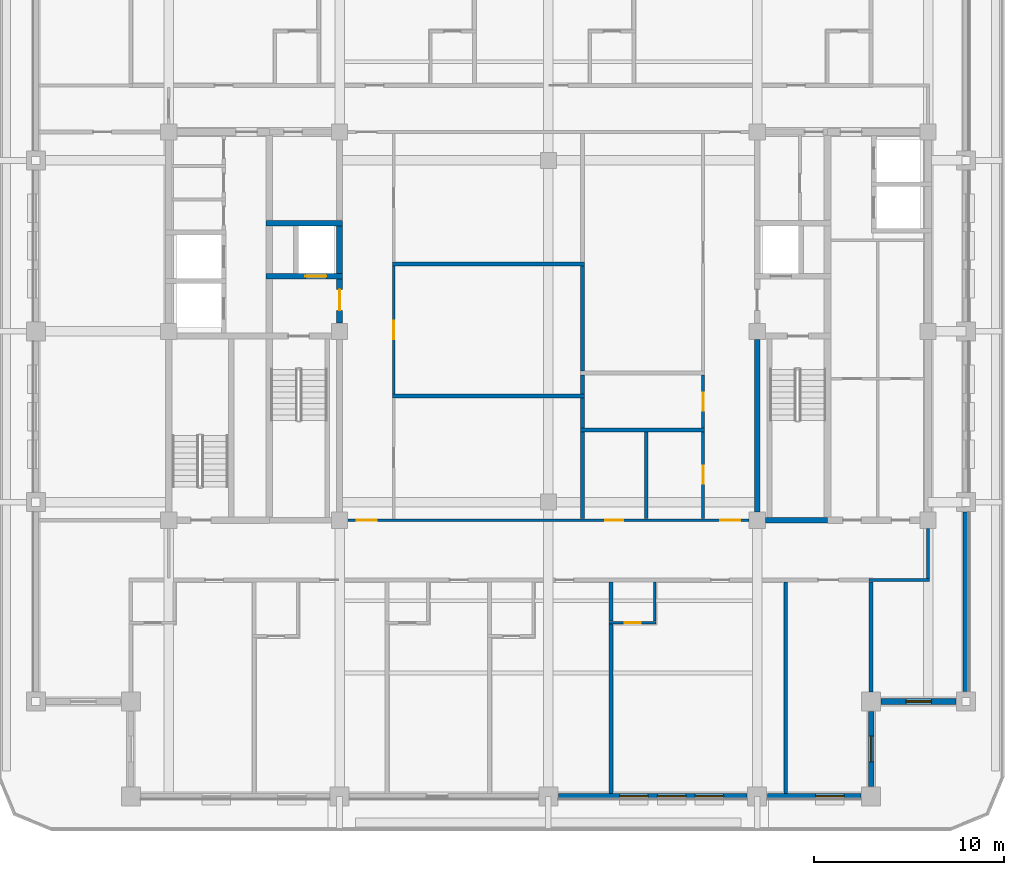
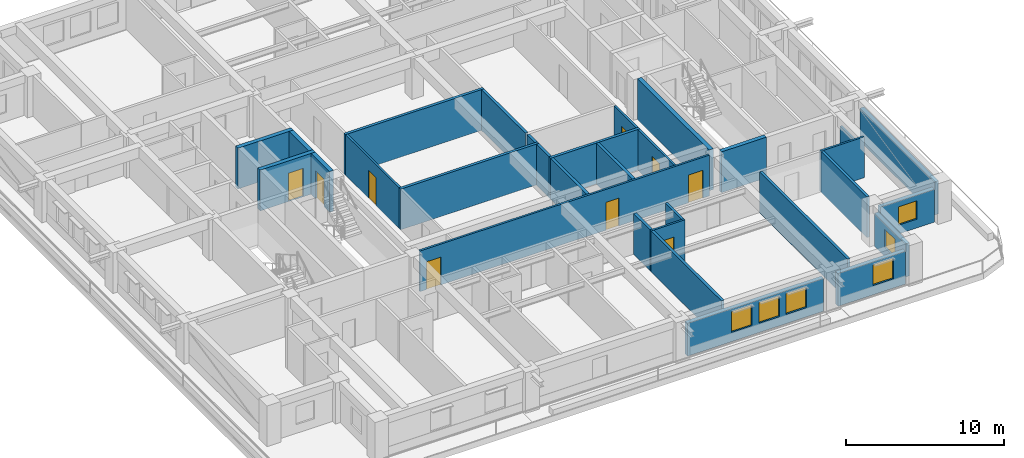
# One storey, part 4 of 15: 31 walls, 9 doors, 6 windows, 15 openings.
"""IFC4 building model written with IfcOpenShell, lengths in metres."""

from ifc_helpers import new_model, si_unit, direction, frame, frame_2d, origin, place, context, subcontext, project, spatial, rectangle, extrude, material, layer, layer_set, type_object, element, fill, save


model = new_model("IFC4")

# Units and contexts
model_context = context("Model", 3, precision=1e-05, world=origin(), true_north=direction((0.0, 1.0)))
body_context = subcontext(model_context, "Body", "Model", "MODEL_VIEW")
ifc_project = project(units=[si_unit("LENGTHUNIT", "METRE"), si_unit("AREAUNIT", "SQUARE_METRE"), si_unit("VOLUMEUNIT", "CUBIC_METRE"), si_unit("PLANEANGLEUNIT", "RADIAN"), si_unit("MASSUNIT", "GRAM", prefix="KILO")], contexts=[model_context])

# Site, building, storey
site_placement = place(None, origin())
site = spatial("IfcSite", under=ifc_project, at=site_placement, CompositionType="ELEMENT")
building_placement = place(site_placement, origin())
building = spatial("IfcBuilding", under=site, at=building_placement, Name="Zulmaris Gate Convention Tower", CompositionType="ELEMENT")
storey_placement = place(building_placement, frame((0.0, 0.0, 201.659912109375)))
storey = spatial("IfcBuildingStorey", under=building, at=storey_placement, Name="L52", CompositionType="ELEMENT", Elevation=201.659912109375)

# Wall
ifc_material_1 = material(Name="Concrete C50/60", Category="concrete")
ifc_layer_1 = layer(ifc_material_1, 0.300048828125, Name="Concrete C50/60")
ifc_layer_set_1 = layer_set([ifc_layer_1], Name="Concrete C50/60")
wall_type_1 = type_object("IfcWallType", Name="CORE-300", PredefinedType="SHEAR", material=ifc_layer_set_1)
wall_1_placement = place(storey_placement, frame((11.428955078125, -9.949951171875, 0.0), z_axis=(0.0, 0.0, 1.0), x_axis=(1.0, 0.0, 0.0)))
element("IfcWall", 1, at=wall_1_placement, inside=storey, type_object=wall_type_1, Name="WL-L52-003", PredefinedType="SHEAR", context=body_context, shape_type="SweptSolid", body=[
    extrude(rectangle(XDim=3.27099609375, YDim=0.300048828125, at=frame_2d((1.635498046875, 0.0))), origin(), (0.0, 0.0, 1.0), 3.150146484375),
])

# Wall, opening, door
wall_2_placement = place(storey_placement, frame((-14.875, 2.89990234375, 0.0), z_axis=(0.0, 0.0, 1.0), x_axis=(1.0, 0.0, 0.0)))
wall_2 = element("IfcWall", 2, at=wall_2_placement, inside=storey, type_object=wall_type_1, Name="WL-L52-008", PredefinedType="SHEAR", context=body_context, shape_type="SweptSolid", body=[
    extrude(rectangle(XDim=4.02490234375, YDim=0.300048828125, at=frame_2d((2.012451171875, 0.0))), origin(), (0.0, 0.0, 1.0), 3.150146484375),
])
opening_1_placement = place(wall_2_placement, frame((2.074951171875, 0.0, 0.0)))
opening_1 = element("IfcOpeningElement", 3, at=opening_1_placement, cuts=wall_2, Name="Opening D-06", PredefinedType="OPENING", context=body_context, shape_type="SweptSolid", body=[
    extrude(rectangle(XDim=1.10009765625, YDim=2.199951171875, at=frame_2d((0.550048828125, 1.10009765625))), frame((0.0, 0.16015625, 0.0), z_axis=(0.0, -1.0, 0.0), x_axis=(1.0, 0.0, 0.0)), (0.0, 0.0, 1.0), 0.320068359375),
])
ifc_material_2 = material(Name="Brushed Stainless Steel", Category="steel")
door_type_1 = type_object("IfcDoorType", Name="LD-1100", OperationType="NOTDEFINED", PredefinedType="DOOR", material=ifc_material_2)
door_1_placement = place(opening_1_placement, origin())
door_1 = element("IfcDoor", 4, at=door_1_placement, inside=storey, type_object=door_type_1, Name="L52 Lift Landing Door LF-01 03", OperationType="SLIDING_TO_LEFT", OverallHeight=2.199951171875, OverallWidth=1.10009765625, PredefinedType="DOOR", context=body_context, shape_type="SweptSolid", body=[
    extrude(rectangle(XDim=1.10009765625, YDim=2.199951171875, at=frame_2d((0.550048828125, 1.10009765625))), frame((0.0, 0.02490234375, 0.0), z_axis=(0.0, -1.0, 0.0), x_axis=(1.0, 0.0, 0.0)), (0.0, 0.0, 1.0), 0.050048828125),
])
fill(opening_1, door_1)

# Wall
wall_3_placement = place(storey_placement, frame((-14.875, 5.699951171875, 0.0), z_axis=(0.0, 0.0, 1.0), x_axis=(1.0, 0.0, 0.0)))
element("IfcWall", 5, at=wall_3_placement, inside=storey, type_object=wall_type_1, Name="WL-L52-012", PredefinedType="SHEAR", context=body_context, shape_type="SweptSolid", body=[
    extrude(rectangle(XDim=4.02490234375, YDim=0.300048828125, at=frame_2d((2.012451171875, 0.0))), origin(), (0.0, 0.0, 1.0), 3.150146484375),
])

# Wall, opening, door
wall_4_placement = place(storey_placement, frame((-11.0, 0.428955078125, 0.0), z_axis=(0.0, 0.0, 1.0), x_axis=(0.0, 1.0, 0.0)))
wall_4 = element("IfcWall", 6, at=wall_4_placement, inside=storey, type_object=wall_type_1, Name="WL-L52-059", PredefinedType="SHEAR", context=body_context, shape_type="SweptSolid", body=[
    extrude(rectangle(XDim=2.319091796875, YDim=0.300048828125, at=frame_2d((1.15966796875, 0.0))), origin(), (0.0, 0.0, 1.0), 3.150146484375),
])
opening_2_placement = place(wall_4_placement, frame((0.6708984375, 0.0, 0.0)))
opening_2 = element("IfcOpeningElement", 7, at=opening_2_placement, cuts=wall_4, Name="Opening D-08", PredefinedType="OPENING", context=body_context, shape_type="SweptSolid", body=[
    extrude(rectangle(XDim=1.10009765625, YDim=2.14990234375, at=frame_2d((0.550048828125, 1.074951171875))), frame((0.0, 0.16015625, 0.0), z_axis=(0.0, -1.0, 0.0), x_axis=(1.0, 0.0, 0.0)), (0.0, 0.0, 1.0), 0.320068359375),
])
ifc_material_3 = material(Name="Fire-Rated Steel", Category="steel")
door_type_2 = type_object("IfcDoorType", Name="DR-1100-FD", OperationType="NOTDEFINED", PredefinedType="DOOR", material=ifc_material_3)
door_2_placement = place(opening_2_placement, origin())
door_2 = element("IfcDoor", 8, at=door_2_placement, inside=storey, type_object=door_type_2, Name="L52 West Firefighting Lobby Door 02", OperationType="SINGLE_SWING_RIGHT", OverallHeight=2.14990234375, OverallWidth=1.10009765625, PredefinedType="DOOR", context=body_context, shape_type="SweptSolid", body=[
    extrude(rectangle(XDim=1.10009765625, YDim=2.14990234375, at=frame_2d((0.550048828125, 1.074951171875))), frame((0.0, 0.02490234375, 0.0), z_axis=(0.0, -1.0, 0.0), x_axis=(1.0, 0.0, 0.0)), (0.0, 0.0, 1.0), 0.050048828125),
])
fill(opening_2, door_2)

# Walls
wall_5_placement = place(storey_placement, frame((-11.0, 3.052001953125, 0.0), z_axis=(0.0, 0.0, 1.0), x_axis=(0.0, 1.0, 0.0)))
element("IfcWall", 9, at=wall_5_placement, inside=storey, type_object=wall_type_1, Name="WL-L52-060", PredefinedType="SHEAR", context=body_context, shape_type="SweptSolid", body=[
    extrude(rectangle(XDim=2.49609375, YDim=0.300048828125, at=frame_2d((1.248046875, 0.0))), origin(), (0.0, 0.0, 1.0), 3.150146484375),
])
wall_6_placement = place(storey_placement, frame((11.0, -9.52099609375, 0.0), z_axis=(0.0, 0.0, 1.0), x_axis=(0.0, 1.0, 0.0)))
element("IfcWall", 10, at=wall_6_placement, inside=storey, type_object=wall_type_1, Name="WL-L52-062", PredefinedType="SHEAR", context=body_context, shape_type="SweptSolid", body=[
    extrude(rectangle(XDim=9.092041015625, YDim=0.300048828125, at=frame_2d((4.5458984375, 0.0))), origin(), (0.0, 0.0, 1.0), 3.150146484375),
])

# Wall, opening, door
ifc_material_4 = material(Name="Gypsum Metal Stud Partition")
ifc_layer_2 = layer(ifc_material_4, 0.14990234375, Name="Gypsum Metal Stud Partition")
ifc_layer_set_2 = layer_set([ifc_layer_2], Name="Gypsum Metal Stud Partition")
wall_type_2 = type_object("IfcWallType", Name="PART-150", PredefinedType="PARTITIONING", material=ifc_layer_set_2)
wall_7_placement = place(storey_placement, frame((3.199951171875, -15.35009765625, 0.0), z_axis=(0.0, 0.0, 1.0), x_axis=(1.0, 0.0, 0.0)))
wall_7 = element("IfcWall", 11, at=wall_7_placement, inside=storey, type_object=wall_type_2, Name="WL-L52-023", PredefinedType="PARTITIONING", context=body_context, shape_type="SweptSolid", body=[
    extrude(rectangle(XDim=2.47509765625, YDim=0.14990234375, at=frame_2d((1.237548828125, 0.0))), origin(), (0.0, 0.0, 1.0), 3.150146484375),
])
opening_3_placement = place(wall_7_placement, frame((0.824951171875, 0.0, 0.0)))
opening_3 = element("IfcOpeningElement", 12, at=opening_3_placement, cuts=wall_7, Name="Opening D-17", PredefinedType="OPENING", context=body_context, shape_type="SweptSolid", body=[
    extrude(rectangle(XDim=0.85009765625, YDim=2.10009765625, at=frame_2d((0.425048828125, 1.050048828125))), frame((0.0, 0.0849609375, 0.0), z_axis=(0.0, -1.0, 0.0), x_axis=(1.0, 0.0, 0.0)), (0.0, 0.0, 1.0), 0.169921875),
])
ifc_material_5 = material(Name="Moisture-Resistant Hardwood Timber", Category="wood")
door_type_3 = type_object("IfcDoorType", Name="DR-850", OperationType="NOTDEFINED", PredefinedType="DOOR", material=ifc_material_5)
door_3_placement = place(opening_3_placement, origin())
door_3 = element("IfcDoor", 13, at=door_3_placement, inside=storey, type_object=door_type_3, Name="L52 En-Suite Door 45", OperationType="SINGLE_SWING_LEFT", OverallHeight=2.10009765625, OverallWidth=0.85009765625, PredefinedType="DOOR", context=body_context, shape_type="SweptSolid", body=[
    extrude(rectangle(XDim=0.85009765625, YDim=2.10009765625, at=frame_2d((0.425048828125, 1.050048828125))), frame((0.0, 0.02490234375, 0.0), z_axis=(0.0, -1.0, 0.0), x_axis=(1.0, 0.0, 0.0)), (0.0, 0.0, 1.0), 0.050048828125),
])
fill(opening_3, door_3)

# Wall
wall_8_placement = place(storey_placement, frame((16.89990234375, -13.10009765625, 0.0), z_axis=(0.0, 0.0, 1.0), x_axis=(1.0, 0.0, 0.0)))
element("IfcWall", 14, at=wall_8_placement, inside=storey, type_object=wall_type_2, Name="WL-L52-025", PredefinedType="PARTITIONING", context=body_context, shape_type="SweptSolid", body=[
    extrude(rectangle(XDim=3.175048828125, YDim=0.14990234375, at=frame_2d((1.58740234375, 0.0))), origin(), (0.0, 0.0, 1.0), 3.150146484375),
])

# Wall, openings, doors
wall_9_placement = place(storey_placement, frame((-10.569091796875, -9.949951171875, 0.0), z_axis=(0.0, 0.0, 1.0), x_axis=(1.0, 0.0, 0.0)))
wall_9 = element("IfcWall", 15, at=wall_9_placement, inside=storey, type_object=wall_type_2, Name="WL-L52-027", PredefinedType="PARTITIONING", context=body_context, shape_type="SweptSolid", body=[
    extrude(rectangle(XDim=21.13818359375, YDim=0.14990234375, at=frame_2d((10.569091796875, 0.0))), origin(), (0.0, 0.0, 1.0), 3.150146484375),
])
opening_4_placement = place(wall_9_placement, frame((0.47412109375, 0.0, 0.0)))
opening_4 = element("IfcOpeningElement", 16, at=opening_4_placement, cuts=wall_9, Name="Opening D-09", PredefinedType="OPENING", context=body_context, shape_type="SweptSolid", body=[
    extrude(rectangle(XDim=1.050048828125, YDim=2.14990234375, at=frame_2d((0.52490234375, 1.074951171875))), frame((0.0, 0.0849609375, 0.0), z_axis=(0.0, -1.0, 0.0), x_axis=(1.0, 0.0, 0.0)), (0.0, 0.0, 1.0), 0.169921875),
])
opening_5_placement = place(wall_9_placement, frame((19.614013671875, 0.0, 0.0)))
opening_5 = element("IfcOpeningElement", 17, at=opening_5_placement, cuts=wall_9, Name="Opening D-09", PredefinedType="OPENING", context=body_context, shape_type="SweptSolid", body=[
    extrude(rectangle(XDim=1.050048828125, YDim=2.14990234375, at=frame_2d((0.52490234375, 1.074951171875))), frame((0.0, 0.0849609375, 0.0), z_axis=(0.0, -1.0, 0.0), x_axis=(1.0, 0.0, 0.0)), (0.0, 0.0, 1.0), 0.169921875),
])
opening_6_placement = place(wall_9_placement, frame((13.573974609375, 0.0, 0.0)))
opening_6 = element("IfcOpeningElement", 18, at=opening_6_placement, cuts=wall_9, Name="Opening D-11", PredefinedType="OPENING", context=body_context, shape_type="SweptSolid", body=[
    extrude(rectangle(XDim=0.949951171875, YDim=2.14990234375, at=frame_2d((0.47509765625, 1.074951171875))), frame((0.0, 0.0849609375, 0.0), z_axis=(0.0, -1.0, 0.0), x_axis=(1.0, 0.0, 0.0)), (0.0, 0.0, 1.0), 0.169921875),
])
door_type_4 = type_object("IfcDoorType", Name="DR-1050-FD", OperationType="NOTDEFINED", PredefinedType="DOOR", material=ifc_material_3)
door_4_placement = place(opening_4_placement, origin())
door_4 = element("IfcDoor", 19, at=door_4_placement, inside=storey, type_object=door_type_4, Name="L52 SW Hotel Loop Door 25", OperationType="SINGLE_SWING_LEFT", OverallHeight=2.14990234375, OverallWidth=1.050048828125, PredefinedType="DOOR", context=body_context, shape_type="SweptSolid", body=[
    extrude(rectangle(XDim=1.050048828125, YDim=2.14990234375, at=frame_2d((0.52490234375, 1.074951171875))), frame((0.0, 0.02490234375, 0.0), z_axis=(0.0, -1.0, 0.0), x_axis=(1.0, 0.0, 0.0)), (0.0, 0.0, 1.0), 0.050048828125),
])
fill(opening_4, door_4)
door_5_placement = place(opening_5_placement, origin())
door_5 = element("IfcDoor", 20, at=door_5_placement, inside=storey, type_object=door_type_4, Name="L52 SE Hotel Loop Door 27", OperationType="SINGLE_SWING_LEFT", OverallHeight=2.14990234375, OverallWidth=1.050048828125, PredefinedType="DOOR", context=body_context, shape_type="SweptSolid", body=[
    extrude(rectangle(XDim=1.050048828125, YDim=2.14990234375, at=frame_2d((0.52490234375, 1.074951171875))), frame((0.0, 0.02490234375, 0.0), z_axis=(0.0, -1.0, 0.0), x_axis=(1.0, 0.0, 0.0)), (0.0, 0.0, 1.0), 0.050048828125),
])
fill(opening_5, door_5)
ifc_material_6 = material(Name="Fire-Rated Timber", Category="wood")
door_type_5 = type_object("IfcDoorType", Name="DR-950-FD", OperationType="NOTDEFINED", PredefinedType="DOOR", material=ifc_material_6)
door_6_placement = place(opening_6_placement, origin())
door_6 = element("IfcDoor", 21, at=door_6_placement, inside=storey, type_object=door_type_5, Name="L52 Staging Store Door 53", OperationType="SINGLE_SWING_LEFT", OverallHeight=2.14990234375, OverallWidth=0.949951171875, PredefinedType="DOOR", context=body_context, shape_type="SweptSolid", body=[
    extrude(rectangle(XDim=0.949951171875, YDim=2.14990234375, at=frame_2d((0.47509765625, 1.074951171875))), frame((0.0, 0.02490234375, 0.0), z_axis=(0.0, -1.0, 0.0), x_axis=(1.0, 0.0, 0.0)), (0.0, 0.0, 1.0), 0.050048828125),
])
fill(opening_6, door_6)

# Wall, opening, door
wall_10_placement = place(storey_placement, frame((-8.14990234375, -3.297119140625, 0.0), z_axis=(0.0, 0.0, 1.0), x_axis=(0.0, 1.0, 0.0)))
wall_10 = element("IfcWall", 22, at=wall_10_placement, inside=storey, type_object=wall_type_2, Name="WL-L52-095", PredefinedType="PARTITIONING", context=body_context, shape_type="SweptSolid", body=[
    extrude(rectangle(XDim=6.744140625, YDim=0.14990234375, at=frame_2d((3.3720703125, 0.0))), origin(), (0.0, 0.0, 1.0), 3.150146484375),
])
opening_7_placement = place(wall_10_placement, frame((2.89208984375, 0.0, 0.0)))
opening_7 = element("IfcOpeningElement", 23, at=opening_7_placement, cuts=wall_10, Name="Opening D-11", PredefinedType="OPENING", context=body_context, shape_type="SweptSolid", body=[
    extrude(rectangle(XDim=0.949951171875, YDim=2.14990234375, at=frame_2d((0.47509765625, 1.074951171875))), frame((0.0, 0.0849609375, 0.0), z_axis=(0.0, -1.0, 0.0), x_axis=(1.0, 0.0, 0.0)), (0.0, 0.0, 1.0), 0.169921875),
])
door_7_placement = place(opening_7_placement, origin())
door_7 = element("IfcDoor", 24, at=door_7_placement, inside=storey, type_object=door_type_5, Name="L52 Tea Salon Door 48", OperationType="SINGLE_SWING_RIGHT", OverallHeight=2.14990234375, OverallWidth=0.949951171875, PredefinedType="DOOR", context=body_context, shape_type="SweptSolid", body=[
    extrude(rectangle(XDim=0.949951171875, YDim=2.14990234375, at=frame_2d((0.47509765625, 1.074951171875))), frame((0.0, 0.02490234375, 0.0), z_axis=(0.0, -1.0, 0.0), x_axis=(1.0, 0.0, 0.0)), (0.0, 0.0, 1.0), 0.050048828125),
])
fill(opening_7, door_7)

# Wall
wall_11_placement = place(storey_placement, frame((5.60009765625, -15.27197265625, 0.0), z_axis=(0.0, 0.0, 1.0), x_axis=(0.0, 1.0, 0.0)))
element("IfcWall", 25, at=wall_11_placement, inside=storey, type_object=wall_type_2, Name="WL-L52-115", PredefinedType="PARTITIONING", context=body_context, shape_type="SweptSolid", body=[
    extrude(rectangle(XDim=2.069091796875, YDim=0.14990234375, at=frame_2d((1.03466796875, 0.0))), origin(), (0.0, 0.0, 1.0), 3.150146484375),
])

# Wall, opening, door
wall_12_placement = place(storey_placement, frame((8.14990234375, -9.8720703125, 0.0), z_axis=(0.0, 0.0, 1.0), x_axis=(0.0, 1.0, 0.0)))
wall_12 = element("IfcWall", 26, at=wall_12_placement, inside=storey, type_object=wall_type_2, Name="WL-L52-116", PredefinedType="PARTITIONING", context=body_context, shape_type="SweptSolid", body=[
    extrude(rectangle(XDim=4.569091796875, YDim=0.14990234375, at=frame_2d((2.28466796875, 0.0))), origin(), (0.0, 0.0, 1.0), 3.150146484375),
])
opening_8_placement = place(wall_12_placement, frame((1.846923828125, 0.0, 0.0)))
opening_8 = element("IfcOpeningElement", 27, at=opening_8_placement, cuts=wall_12, Name="Opening D-11", PredefinedType="OPENING", context=body_context, shape_type="SweptSolid", body=[
    extrude(rectangle(XDim=0.949951171875, YDim=2.14990234375, at=frame_2d((0.47509765625, 1.074951171875))), frame((0.0, 0.0849609375, 0.0), z_axis=(0.0, -1.0, 0.0), x_axis=(1.0, 0.0, 0.0)), (0.0, 0.0, 1.0), 0.169921875),
])
door_8_placement = place(opening_8_placement, origin())
door_8 = element("IfcDoor", 28, at=door_8_placement, inside=storey, type_object=door_type_5, Name="L52 Accessible WC Door 52", OperationType="SINGLE_SWING_RIGHT", OverallHeight=2.14990234375, OverallWidth=0.949951171875, PredefinedType="DOOR", context=body_context, shape_type="SweptSolid", body=[
    extrude(rectangle(XDim=0.949951171875, YDim=2.14990234375, at=frame_2d((0.47509765625, 1.074951171875))), frame((0.0, 0.02490234375, 0.0), z_axis=(0.0, -1.0, 0.0), x_axis=(1.0, 0.0, 0.0)), (0.0, 0.0, 1.0), 0.050048828125),
])
fill(opening_8, door_8)

wall_13_placement = place(storey_placement, frame((8.14990234375, -5.096923828125, 0.0), z_axis=(0.0, 0.0, 1.0), x_axis=(0.0, 1.0, 0.0)))
wall_13 = element("IfcWall", 29, at=wall_13_placement, inside=storey, type_object=wall_type_2, Name="WL-L52-117", PredefinedType="PARTITIONING", context=body_context, shape_type="SweptSolid", body=[
    extrude(rectangle(XDim=2.7939453125, YDim=0.14990234375, at=frame_2d((1.39697265625, 0.0))), origin(), (0.0, 0.0, 1.0), 3.150146484375),
])
opening_9_placement = place(wall_13_placement, frame((0.922119140625, 0.0, 0.0)))
opening_9 = element("IfcOpeningElement", 30, at=opening_9_placement, cuts=wall_13, Name="Opening D-11", PredefinedType="OPENING", context=body_context, shape_type="SweptSolid", body=[
    extrude(rectangle(XDim=0.949951171875, YDim=2.14990234375, at=frame_2d((0.47509765625, 1.074951171875))), frame((0.0, 0.0849609375, 0.0), z_axis=(0.0, -1.0, 0.0), x_axis=(1.0, 0.0, 0.0)), (0.0, 0.0, 1.0), 0.169921875),
])
door_9_placement = place(opening_9_placement, origin())
door_9 = element("IfcDoor", 31, at=door_9_placement, inside=storey, type_object=door_type_5, Name="L52 Public WC Door 51", OperationType="SINGLE_SWING_LEFT", OverallHeight=2.14990234375, OverallWidth=0.949951171875, PredefinedType="DOOR", context=body_context, shape_type="SweptSolid", body=[
    extrude(rectangle(XDim=0.949951171875, YDim=2.14990234375, at=frame_2d((0.47509765625, 1.074951171875))), frame((0.0, 0.02490234375, 0.0), z_axis=(0.0, -1.0, 0.0), x_axis=(1.0, 0.0, 0.0)), (0.0, 0.0, 1.0), 0.050048828125),
])
fill(opening_9, door_9)

# Walls
wall_14_placement = place(storey_placement, frame((20.0, -13.02197265625, 0.0), z_axis=(0.0, 0.0, 1.0), x_axis=(0.0, 1.0, 0.0)))
element("IfcWall", 32, at=wall_14_placement, inside=storey, type_object=wall_type_2, Name="WL-L52-127", PredefinedType="PARTITIONING", context=body_context, shape_type="SweptSolid", body=[
    extrude(rectangle(XDim=2.640869140625, YDim=0.14990234375, at=frame_2d((1.3203125, 0.0))), origin(), (0.0, 0.0, 1.0), 2.34228515625),
])
ifc_material_7 = material(Name="Autoclaved Aerated Concrete Block and Plasterboard", Category="concrete")
ifc_layer_3 = layer(ifc_material_7, 0.199951171875, Name="Autoclaved Aerated Concrete Block and Plasterboard")
ifc_layer_set_3 = layer_set([ifc_layer_3], Name="Autoclaved Aerated Concrete Block and Plasterboard")
wall_type_3 = type_object("IfcWallType", Name="PART-200", PredefinedType="PARTITIONING", material=ifc_layer_set_3)
wall_15_placement = place(storey_placement, frame((1.699951171875, -5.199951171875, 0.0), z_axis=(0.0, 0.0, 1.0), x_axis=(1.0, 0.0, 0.0)))
element("IfcWall", 33, at=wall_15_placement, inside=storey, type_object=wall_type_3, Name="WL-L52-028", PredefinedType="PARTITIONING", context=body_context, shape_type="SweptSolid", body=[
    extrude(rectangle(XDim=6.525146484375, YDim=0.199951171875, at=frame_2d((3.2626953125, 0.0))), origin(), (0.0, 0.0, 1.0), 3.150146484375),
])
for number, where, z_axis, x_axis, name in (
    (34, (-8.22509765625, -3.39990234375, 0.0), (0.0, 0.0, 1.0), (1.0, 0.0, 0.0), "WL-L52-029"),
    (35, (-8.22509765625, 3.550048828125, 0.0), (0.0, 0.0, 1.0), (1.0, 0.0, 0.0), "WL-L52-032"),
):
    element("IfcWall", number, at=place(storey_placement, frame(where, z_axis=z_axis, x_axis=x_axis)), inside=storey, type_object=wall_type_3, Name=name, PredefinedType="PARTITIONING", context=body_context, shape_type="SweptSolid", body=[
        extrude(rectangle(XDim=10.125, YDim=0.199951171875, at=frame_2d((5.0625, 0.0))), origin(), (0.0, 0.0, 1.0), 3.150146484375),
    ])
wall_16_placement = place(storey_placement, frame((1.800048828125, -9.8720703125, 0.0), z_axis=(0.0, 0.0, 1.0), x_axis=(0.0, 1.0, 0.0)))
element("IfcWall", 36, at=wall_16_placement, inside=storey, type_object=wall_type_3, Name="WL-L52-104", PredefinedType="PARTITIONING", context=body_context, shape_type="SweptSolid", body=[
    extrude(rectangle(XDim=4.569091796875, YDim=0.199951171875, at=frame_2d((2.28466796875, 0.0))), origin(), (0.0, 0.0, 1.0), 3.150146484375),
])
wall_17_placement = place(storey_placement, frame((1.800048828125, -5.096923828125, 0.0), z_axis=(0.0, 0.0, 1.0), x_axis=(0.0, 1.0, 0.0)))
element("IfcWall", 37, at=wall_17_placement, inside=storey, type_object=wall_type_3, Name="WL-L52-105", PredefinedType="PARTITIONING", context=body_context, shape_type="SweptSolid", body=[
    extrude(rectangle(XDim=1.593994140625, YDim=0.199951171875, at=frame_2d((0.796875, 0.0))), origin(), (0.0, 0.0, 1.0), 3.150146484375),
])
wall_18_placement = place(storey_placement, frame((1.800048828125, -3.297119140625, 0.0), z_axis=(0.0, 0.0, 1.0), x_axis=(0.0, 1.0, 0.0)))
element("IfcWall", 38, at=wall_18_placement, inside=storey, type_object=wall_type_3, Name="WL-L52-106", PredefinedType="PARTITIONING", context=body_context, shape_type="SweptSolid", body=[
    extrude(rectangle(XDim=0.994140625, YDim=0.199951171875, at=frame_2d((0.4970703125, 0.0))), origin(), (0.0, 0.0, 1.0), 3.150146484375),
])
wall_19_placement = place(storey_placement, frame((1.800048828125, -2.096923828125, 0.0), z_axis=(0.0, 0.0, 1.0), x_axis=(0.0, 1.0, 0.0)))
element("IfcWall", 39, at=wall_19_placement, inside=storey, type_object=wall_type_3, Name="WL-L52-107", PredefinedType="PARTITIONING", context=body_context, shape_type="SweptSolid", body=[
    extrude(rectangle(XDim=5.5439453125, YDim=0.199951171875, at=frame_2d((2.77197265625, 0.0))), origin(), (0.0, 0.0, 1.0), 3.150146484375),
])
wall_20_placement = place(storey_placement, frame((3.300048828125, -24.3349609375, 0.0), z_axis=(0.0, 0.0, 1.0), x_axis=(0.0, 1.0, 0.0)))
element("IfcWall", 40, at=wall_20_placement, inside=storey, type_object=wall_type_3, Name="WL-L52-110", PredefinedType="PARTITIONING", context=body_context, shape_type="SweptSolid", body=[
    extrude(rectangle(XDim=8.906982421875, YDim=0.199951171875, at=frame_2d((4.45361328125, 0.0))), origin(), (0.0, 0.0, 1.0), 3.150146484375),
])
wall_21_placement = place(storey_placement, frame((3.300048828125, -15.27197265625, 0.0), z_axis=(0.0, 0.0, 1.0), x_axis=(0.0, 1.0, 0.0)))
element("IfcWall", 41, at=wall_21_placement, inside=storey, type_object=wall_type_3, Name="WL-L52-111", PredefinedType="PARTITIONING", context=body_context, shape_type="SweptSolid", body=[
    extrude(rectangle(XDim=2.069091796875, YDim=0.199951171875, at=frame_2d((1.03466796875, 0.0))), origin(), (0.0, 0.0, 1.0), 3.150146484375),
])
wall_22_placement = place(storey_placement, frame((5.14990234375, -9.8720703125, 0.0), z_axis=(0.0, 0.0, 1.0), x_axis=(0.0, 1.0, 0.0)))
element("IfcWall", 42, at=wall_22_placement, inside=storey, type_object=wall_type_3, Name="WL-L52-114", PredefinedType="PARTITIONING", context=body_context, shape_type="SweptSolid", body=[
    extrude(rectangle(XDim=4.569091796875, YDim=0.199951171875, at=frame_2d((2.28466796875, 0.0))), origin(), (0.0, 0.0, 1.0), 3.150146484375),
])
wall_23_placement = place(storey_placement, frame((12.5, -24.3349609375, 0.0), z_axis=(0.0, 0.0, 1.0), x_axis=(0.0, 1.0, 0.0)))
element("IfcWall", 43, at=wall_23_placement, inside=storey, type_object=wall_type_3, Name="WL-L52-119", PredefinedType="PARTITIONING", context=body_context, shape_type="SweptSolid", body=[
    extrude(rectangle(XDim=11.132080078125, YDim=0.199951171875, at=frame_2d((5.56591796875, 0.0))), origin(), (0.0, 0.0, 1.0), 3.150146484375),
])
wall_24_placement = place(storey_placement, frame((17.0, -18.993896484375, 0.0), z_axis=(0.0, 0.0, 1.0), x_axis=(0.0, 1.0, 0.0)))
element("IfcWall", 44, at=wall_24_placement, inside=storey, type_object=wall_type_3, Name="WL-L52-122", PredefinedType="PARTITIONING", context=body_context, shape_type="SweptSolid", body=[
    extrude(rectangle(XDim=5.791015625, YDim=0.199951171875, at=frame_2d((2.8955078125, 0.0))), origin(), (0.0, 0.0, 1.0), 3.150146484375),
])

# Wall, opening, window
ifc_material_8 = material(Name="Precast concrete C40/50", Category="concrete")
ifc_layer_4 = layer(ifc_material_8, 0.300048828125, Name="Precast concrete C40/50")
ifc_layer_set_4 = layer_set([ifc_layer_4], Name="Precast concrete C40/50")
wall_type_4 = type_object("IfcWallType", Name="PRECAST-PIER-300", PredefinedType="STANDARD", material=ifc_layer_set_4)
wall_25_placement = place(storey_placement, frame((17.0, -23.969970703125, 0.0), z_axis=(0.0, 0.0, 1.0), x_axis=(0.0, 1.0, 0.0)))
wall_25 = element("IfcWall", 45, at=wall_25_placement, inside=storey, type_object=wall_type_4, Name="EW-L52-NOTCH-SE1_0", PredefinedType="STANDARD", context=body_context, shape_type="SweptSolid", body=[
    extrude(rectangle(XDim=3.93994140625, YDim=0.300048828125, at=frame_2d((1.969970703125, 0.0))), origin(), (0.0, 0.0, 1.0), 2.542236328125),
])
opening_10_placement = place(wall_25_placement, frame((1.294921875, 0.0, 0.679931640625)))
opening_10 = element("IfcOpeningElement", 46, at=opening_10_placement, cuts=wall_25, Name="Opening W-10", PredefinedType="OPENING", context=body_context, shape_type="SweptSolid", body=[
    extrude(rectangle(XDim=1.35009765625, YDim=1.419921875, at=frame_2d((0.675048828125, 0.7099609375))), frame((0.0, 0.16015625, 0.0), z_axis=(0.0, -1.0, 0.0), x_axis=(1.0, 0.0, 0.0)), (0.0, 0.0, 1.0), 0.320068359375),
])
ifc_material_9 = material(Name="Low-E Laminated Double Glazing in Aluminium Frame", Category="aluminium")
window_type_1 = type_object("IfcWindowType", Name="WIN-1350x2000", PartitioningType="SINGLE_PANEL", PredefinedType="WINDOW", material=ifc_material_9)
window_1_placement = place(opening_10_placement, origin())
window_1 = element("IfcWindow", 47, at=window_1_placement, inside=storey, type_object=window_type_1, Name="WN-EW-L52-NOTCH-SE1_0", OverallHeight=1.419921875, OverallWidth=1.35009765625, PartitioningType="SINGLE_PANEL", PredefinedType="WINDOW", context=body_context, shape_type="SweptSolid", body=[
    extrude(rectangle(XDim=1.35009765625, YDim=1.419921875, at=frame_2d((0.675048828125, 0.7099609375))), frame((0.0, 0.030029296875, 0.0), z_axis=(0.0, -1.0, 0.0), x_axis=(1.0, 0.0, 0.0)), (0.0, 0.0, 1.0), 0.06005859375),
])
fill(opening_10, window_1)

wall_26_placement = place(storey_placement, frame((17.530029296875, -19.5, 0.0), z_axis=(0.0, 0.0, 1.0), x_axis=(1.0, 0.0, 0.0)))
wall_26 = element("IfcWall", 48, at=wall_26_placement, inside=storey, type_object=wall_type_4, Name="EW-L52-NOTCH-SE2_0", PredefinedType="STANDARD", context=body_context, shape_type="SweptSolid", body=[
    extrude(rectangle(XDim=3.93994140625, YDim=0.300048828125, at=frame_2d((1.969970703125, 0.0))), origin(), (0.0, 0.0, 1.0), 2.542236328125),
])
opening_11_placement = place(wall_26_placement, frame((1.294921875, 0.0, 0.679931640625)))
opening_11 = element("IfcOpeningElement", 49, at=opening_11_placement, cuts=wall_26, Name="Opening W-10", PredefinedType="OPENING", context=body_context, shape_type="SweptSolid", body=[
    extrude(rectangle(XDim=1.35009765625, YDim=1.419921875, at=frame_2d((0.675048828125, 0.7099609375))), frame((0.0, 0.16015625, 0.0), z_axis=(0.0, -1.0, 0.0), x_axis=(1.0, 0.0, 0.0)), (0.0, 0.0, 1.0), 0.320068359375),
])
window_2_placement = place(opening_11_placement, origin())
window_2 = element("IfcWindow", 50, at=window_2_placement, inside=storey, type_object=window_type_1, Name="WN-EW-L52-NOTCH-SE2_0", OverallHeight=1.419921875, OverallWidth=1.35009765625, PartitioningType="SINGLE_PANEL", PredefinedType="WINDOW", context=body_context, shape_type="SweptSolid", body=[
    extrude(rectangle(XDim=1.35009765625, YDim=1.419921875, at=frame_2d((0.675048828125, 0.7099609375))), frame((0.0, 0.030029296875, 0.0), z_axis=(0.0, -1.0, 0.0), x_axis=(1.0, 0.0, 0.0)), (0.0, 0.0, 1.0), 0.06005859375),
])
fill(opening_11, window_2)

# Wall, openings, windows
wall_27_placement = place(storey_placement, frame((0.530029296875, -24.5, 0.0), z_axis=(0.0, 0.0, 1.0), x_axis=(1.0, 0.0, 0.0)))
wall_27 = element("IfcWall", 51, at=wall_27_placement, inside=storey, type_object=wall_type_4, Name="EW-L52-S-2_0", PredefinedType="STANDARD", context=body_context, shape_type="SweptSolid", body=[
    extrude(rectangle(XDim=9.93994140625, YDim=0.300048828125, at=frame_2d((4.969970703125, 0.0))), origin(), (0.0, 0.0, 1.0), 2.542236328125),
])
opening_12_placement = place(wall_27_placement, frame((3.22607421875, 0.0, 0.719970703125)))
opening_12 = element("IfcOpeningElement", 52, at=opening_12_placement, cuts=wall_27, Name="Opening W-03", PredefinedType="OPENING", context=body_context, shape_type="SweptSolid", body=[
    extrude(rectangle(XDim=1.5, YDim=1.60009765625, at=frame_2d((0.75, 0.800048828125))), frame((0.0, 0.16015625, 0.0), z_axis=(0.0, -1.0, 0.0), x_axis=(1.0, 0.0, 0.0)), (0.0, 0.0, 1.0), 0.320068359375),
])
opening_13_placement = place(wall_27_placement, frame((5.214111328125, 0.0, 0.719970703125)))
opening_13 = element("IfcOpeningElement", 53, at=opening_13_placement, cuts=wall_27, Name="Opening W-03", PredefinedType="OPENING", context=body_context, shape_type="SweptSolid", body=[
    extrude(rectangle(XDim=1.5, YDim=1.60009765625, at=frame_2d((0.75, 0.800048828125))), frame((0.0, 0.16015625, 0.0), z_axis=(0.0, -1.0, 0.0), x_axis=(1.0, 0.0, 0.0)), (0.0, 0.0, 1.0), 0.320068359375),
])
opening_14_placement = place(wall_27_placement, frame((7.201904296875, 0.0, 0.719970703125)))
opening_14 = element("IfcOpeningElement", 54, at=opening_14_placement, cuts=wall_27, Name="Opening W-03", PredefinedType="OPENING", context=body_context, shape_type="SweptSolid", body=[
    extrude(rectangle(XDim=1.5, YDim=1.60009765625, at=frame_2d((0.75, 0.800048828125))), frame((0.0, 0.16015625, 0.0), z_axis=(0.0, -1.0, 0.0), x_axis=(1.0, 0.0, 0.0)), (0.0, 0.0, 1.0), 0.320068359375),
])
window_type_2 = type_object("IfcWindowType", Name="WIN-1500x2100", PartitioningType="SINGLE_PANEL", PredefinedType="WINDOW", material=ifc_material_9)
window_3_placement = place(opening_12_placement, origin())
window_3 = element("IfcWindow", 55, at=window_3_placement, inside=storey, type_object=window_type_2, Name="WN-EW-L52-S-2_0-2", OverallHeight=1.60009765625, OverallWidth=1.5, PartitioningType="SINGLE_PANEL", PredefinedType="WINDOW", context=body_context, shape_type="SweptSolid", body=[
    extrude(rectangle(XDim=1.5, YDim=1.60009765625, at=frame_2d((0.75, 0.800048828125))), frame((0.0, 0.030029296875, 0.0), z_axis=(0.0, -1.0, 0.0), x_axis=(1.0, 0.0, 0.0)), (0.0, 0.0, 1.0), 0.06005859375),
])
fill(opening_12, window_3)
window_4_placement = place(opening_13_placement, origin())
window_4 = element("IfcWindow", 56, at=window_4_placement, inside=storey, type_object=window_type_2, Name="WN-EW-L52-S-2_0-3", OverallHeight=1.60009765625, OverallWidth=1.5, PartitioningType="SINGLE_PANEL", PredefinedType="WINDOW", context=body_context, shape_type="SweptSolid", body=[
    extrude(rectangle(XDim=1.5, YDim=1.60009765625, at=frame_2d((0.75, 0.800048828125))), frame((0.0, 0.030029296875, 0.0), z_axis=(0.0, -1.0, 0.0), x_axis=(1.0, 0.0, 0.0)), (0.0, 0.0, 1.0), 0.06005859375),
])
fill(opening_13, window_4)
window_5_placement = place(opening_14_placement, origin())
window_5 = element("IfcWindow", 57, at=window_5_placement, inside=storey, type_object=window_type_2, Name="WN-EW-L52-S-2_0-4", OverallHeight=1.60009765625, OverallWidth=1.5, PartitioningType="SINGLE_PANEL", PredefinedType="WINDOW", context=body_context, shape_type="SweptSolid", body=[
    extrude(rectangle(XDim=1.5, YDim=1.60009765625, at=frame_2d((0.75, 0.800048828125))), frame((0.0, 0.030029296875, 0.0), z_axis=(0.0, -1.0, 0.0), x_axis=(1.0, 0.0, 0.0)), (0.0, 0.0, 1.0), 0.06005859375),
])
fill(opening_14, window_5)

# Wall, opening, window
wall_28_placement = place(storey_placement, frame((11.530029296875, -24.5, 0.0), z_axis=(0.0, 0.0, 1.0), x_axis=(1.0, 0.0, 0.0)))
wall_28 = element("IfcWall", 58, at=wall_28_placement, inside=storey, type_object=wall_type_4, Name="EW-L52-S-3_0", PredefinedType="STANDARD", context=body_context, shape_type="SweptSolid", body=[
    extrude(rectangle(XDim=4.93994140625, YDim=0.300048828125, at=frame_2d((2.469970703125, 0.0))), origin(), (0.0, 0.0, 1.0), 2.542236328125),
])
opening_15_placement = place(wall_28_placement, frame((2.54296875, 0.0, 0.719970703125)))
opening_15 = element("IfcOpeningElement", 59, at=opening_15_placement, cuts=wall_28, Name="Opening W-03", PredefinedType="OPENING", context=body_context, shape_type="SweptSolid", body=[
    extrude(rectangle(XDim=1.5, YDim=1.60009765625, at=frame_2d((0.75, 0.800048828125))), frame((0.0, 0.16015625, 0.0), z_axis=(0.0, -1.0, 0.0), x_axis=(1.0, 0.0, 0.0)), (0.0, 0.0, 1.0), 0.320068359375),
])
window_6_placement = place(opening_15_placement, origin())
window_6 = element("IfcWindow", 60, at=window_6_placement, inside=storey, type_object=window_type_2, Name="WN-EW-L52-S-3_0-2", OverallHeight=1.60009765625, OverallWidth=1.5, PartitioningType="SINGLE_PANEL", PredefinedType="WINDOW", context=body_context, shape_type="SweptSolid", body=[
    extrude(rectangle(XDim=1.5, YDim=1.60009765625, at=frame_2d((0.75, 0.800048828125))), frame((0.0, 0.030029296875, 0.0), z_axis=(0.0, -1.0, 0.0), x_axis=(1.0, 0.0, 0.0)), (0.0, 0.0, 1.0), 0.06005859375),
])
fill(opening_15, window_6)

# Wall
wall_29_placement = place(storey_placement, frame((22.0, -18.969970703125, 0.0), z_axis=(0.0, 0.0, 1.0), x_axis=(0.0, 1.0, 0.0)))
element("IfcWall", 61, at=wall_29_placement, inside=storey, type_object=wall_type_4, Name="EW-L52-E-0_0", PredefinedType="STANDARD", context=body_context, shape_type="SweptSolid", body=[
    extrude(rectangle(XDim=9.43994140625, YDim=0.300048828125, at=frame_2d((4.719970703125, 0.0))), origin(), (0.0, 0.0, 1.0), 2.542236328125),
])

save(model, "model.ifc")
